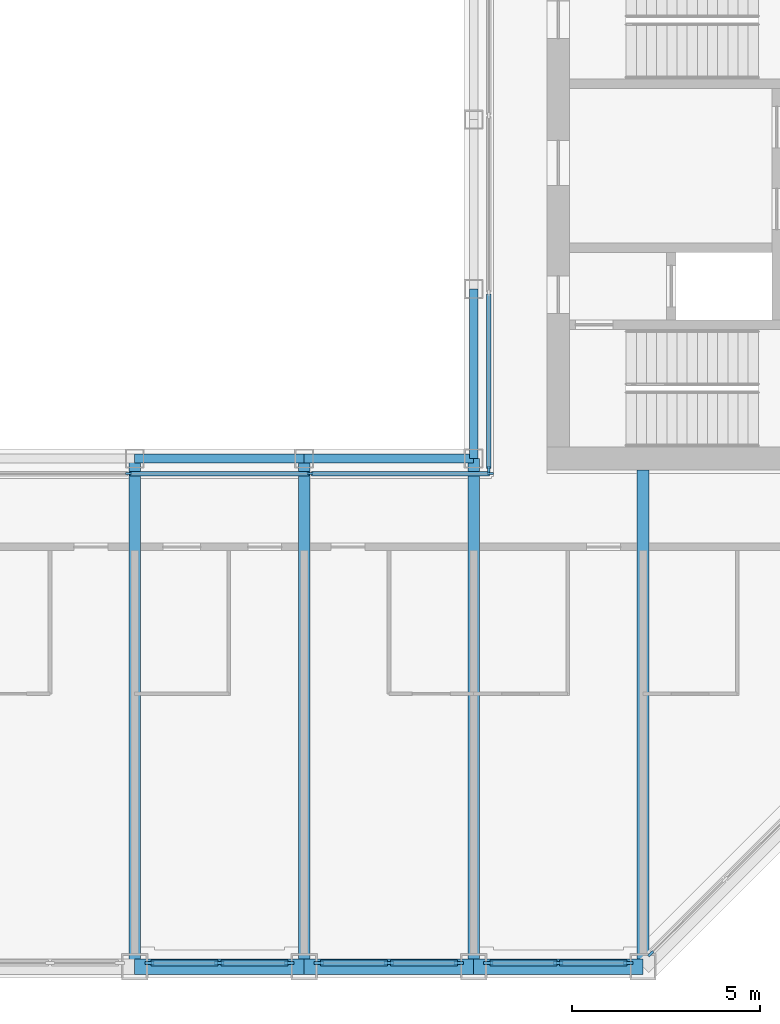
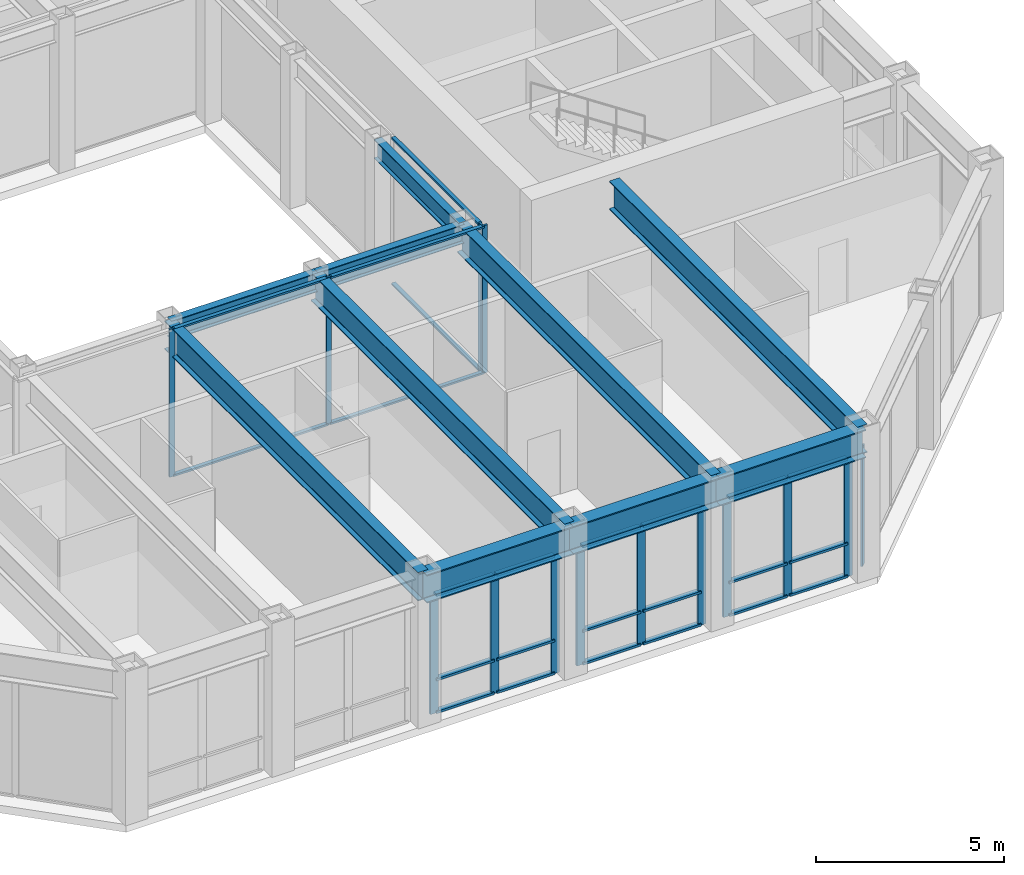
# One storey, part 3 of 15: 38 members, 10 beams, 6 elements without a shape of their own.
"""IFC4 building model written with IfcOpenShell, lengths in metres."""

from ifc_helpers import new_model, si_unit, direction, frame, origin, origin_2d, place, context, subcontext, project, spatial, rectangle, i_section, extrude, material, material_profile, profile_set, type_object, element, aggregate, save


model = new_model("IFC4")

# Units and contexts
model_context = context("Model", 3, precision=1e-05, world=origin(), true_north=direction((0.0, 1.0)))
body_context = subcontext(model_context, "Body", "Model", "MODEL_VIEW")
ifc_project = project(units=[si_unit("LENGTHUNIT", "METRE"), si_unit("AREAUNIT", "SQUARE_METRE"), si_unit("VOLUMEUNIT", "CUBIC_METRE"), si_unit("PLANEANGLEUNIT", "RADIAN"), si_unit("MASSUNIT", "GRAM", prefix="KILO")], contexts=[model_context])

# Site, building, storey
site_placement = place(None, origin())
site = spatial("IfcSite", under=ifc_project, at=site_placement, CompositionType="ELEMENT")
building_placement = place(site_placement, origin())
building = spatial("IfcBuilding", under=site, at=building_placement, Name="Msasa Ring Tower", CompositionType="ELEMENT")
storey_placement = place(building_placement, frame((0.0, 0.0, 195.800048828125)))
storey = spatial("IfcBuildingStorey", under=building, at=storey_placement, Name="L51", CompositionType="ELEMENT", Elevation=195.800048828125)

# Curtain wall, member
ifc_material_1 = material(Name="Aluminium curtain wall with clear glass", Category="aluminium")
curtain_wall_type_1 = type_object("IfcCurtainWallType", Name="CW-C CHAMFER CORNER CURTAIN WALL", PredefinedType="NOTDEFINED", material=ifc_material_1)
curtain_wall_1_placement = place(storey_placement, origin())
curtain_wall_1 = element("IfcCurtainWall", 1, at=curtain_wall_1_placement, inside=storey, type_object=curtain_wall_type_1, Name="Chamfer corner curtain wall SE L51", PredefinedType="NOTDEFINED")
ifc_material_2 = material(Name="Aluminium mullion", Category="aluminium")
ifc_material_profile_1 = material_profile(ifc_material_2, rectangle(XDim=0.06494140625, YDim=0.179931640625, at=origin_2d()), Name="AL 65x180")
ifc_profile_set_1 = profile_set([ifc_material_profile_1], Name="Aluminium mullion")
member_type_1 = type_object("IfcMemberType", Name="CW-C MULLION 65x180", PredefinedType="MULLION", material=ifc_profile_set_1)
member_1_placement = place(storey_placement, frame((11.453369140625, -19.9052734375, 0.0), z_axis=(0.0, 0.0, 1.0), x_axis=(-0.707106781187, 0.707106781187, 0.0)))
member_1 = element("IfcMember", 2, at=member_1_placement, type_object=member_type_1, Name="CW-C mullion 1", PredefinedType="MULLION", context=body_context, shape_type="SweptSolid", body=[
    extrude(rectangle(XDim=0.06494140625, YDim=0.179931640625, at=origin_2d()), origin(), (0.0, 0.0, 1.0), 3.87890625),
])
aggregate(curtain_wall_1, [member_1])

# Curtain wall, members
ifc_material_3 = material(Name="Aluminium curtain wall with clear glass", Category="aluminium")
curtain_wall_type_2 = type_object("IfcCurtainWallType", Name="CW-S SKY LOBBY CURTAIN WALL", PredefinedType="NOTDEFINED", material=ifc_material_3)
curtain_wall_2_placement = place(storey_placement, origin())
curtain_wall_2 = element("IfcCurtainWall", 3, at=curtain_wall_2_placement, inside=storey, type_object=curtain_wall_type_2, Name="Sky lobby curtain wall S L51", PredefinedType="NOTDEFINED")
ifc_material_4 = material(Name="Aluminium mullion", Category="aluminium")
ifc_material_profile_2 = material_profile(ifc_material_4, rectangle(XDim=0.074951171875, YDim=0.25, at=origin_2d()), Name="AL 75x250")
ifc_profile_set_2 = profile_set([ifc_material_profile_2], Name="Aluminium mullion")
member_type_2 = type_object("IfcMemberType", Name="CW-S MULLION 75x250", PredefinedType="MULLION", material=ifc_profile_set_2)
member_2_placement = place(storey_placement, frame((-1.857421875, -20.14990234375, 0.0), z_axis=(0.0, 0.0, 1.0), x_axis=(0.0, 1.0, 0.0)))
member_2 = element("IfcMember", 4, at=member_2_placement, type_object=member_type_2, Name="CW-S mullion 1", PredefinedType="MULLION", context=body_context, shape_type="SweptSolid", body=[
    extrude(rectangle(XDim=0.074951171875, YDim=0.25, at=origin_2d()), origin(), (0.0, 0.0, 1.0), 3.87890625),
])
member_3_placement = place(storey_placement, frame((0.0, -20.14990234375, 0.0), z_axis=(0.0, 0.0, 1.0), x_axis=(0.0, 1.0, 0.0)))
member_3 = element("IfcMember", 5, at=member_3_placement, type_object=member_type_2, Name="CW-S mullion 2", PredefinedType="MULLION", context=body_context, shape_type="SweptSolid", body=[
    extrude(rectangle(XDim=0.074951171875, YDim=0.25, at=origin_2d()), origin(), (0.0, 0.0, 1.0), 3.87890625),
])
member_4_placement = place(storey_placement, frame((1.857421875, -20.14990234375, 0.0), z_axis=(0.0, 0.0, 1.0), x_axis=(0.0, 1.0, 0.0)))
member_4 = element("IfcMember", 6, at=member_4_placement, type_object=member_type_2, Name="CW-S mullion 3", PredefinedType="MULLION", context=body_context, shape_type="SweptSolid", body=[
    extrude(rectangle(XDim=0.074951171875, YDim=0.25, at=origin_2d()), origin(), (0.0, 0.0, 1.0), 3.87890625),
])

curtain_wall_3_placement = place(storey_placement, origin())
curtain_wall_3 = element("IfcCurtainWall", 7, at=curtain_wall_3_placement, inside=storey, type_object=curtain_wall_type_2, Name="Sky lobby curtain wall S L51", PredefinedType="NOTDEFINED")
member_5_placement = place(storey_placement, frame((2.642578125, -20.14990234375, 0.0), z_axis=(0.0, 0.0, 1.0), x_axis=(0.0, 1.0, 0.0)))
member_5 = element("IfcMember", 8, at=member_5_placement, type_object=member_type_2, Name="CW-S mullion 1", PredefinedType="MULLION", context=body_context, shape_type="SweptSolid", body=[
    extrude(rectangle(XDim=0.074951171875, YDim=0.25, at=origin_2d()), origin(), (0.0, 0.0, 1.0), 3.87890625),
])
member_6_placement = place(storey_placement, frame((4.5, -20.14990234375, 0.0), z_axis=(0.0, 0.0, 1.0), x_axis=(0.0, 1.0, 0.0)))
member_6 = element("IfcMember", 9, at=member_6_placement, type_object=member_type_2, Name="CW-S mullion 2", PredefinedType="MULLION", context=body_context, shape_type="SweptSolid", body=[
    extrude(rectangle(XDim=0.074951171875, YDim=0.25, at=origin_2d()), origin(), (0.0, 0.0, 1.0), 3.87890625),
])
member_7_placement = place(storey_placement, frame((6.357421875, -20.14990234375, 0.0), z_axis=(0.0, 0.0, 1.0), x_axis=(0.0, 1.0, 0.0)))
member_7 = element("IfcMember", 10, at=member_7_placement, type_object=member_type_2, Name="CW-S mullion 3", PredefinedType="MULLION", context=body_context, shape_type="SweptSolid", body=[
    extrude(rectangle(XDim=0.074951171875, YDim=0.25, at=origin_2d()), origin(), (0.0, 0.0, 1.0), 3.87890625),
])

curtain_wall_4_placement = place(storey_placement, origin())
curtain_wall_4 = element("IfcCurtainWall", 11, at=curtain_wall_4_placement, inside=storey, type_object=curtain_wall_type_2, Name="Sky lobby curtain wall S L51", PredefinedType="NOTDEFINED")
member_8_placement = place(storey_placement, frame((7.142578125, -20.14990234375, 0.0), z_axis=(0.0, 0.0, 1.0), x_axis=(0.0, 1.0, 0.0)))
member_8 = element("IfcMember", 12, at=member_8_placement, type_object=member_type_2, Name="CW-S mullion 1", PredefinedType="MULLION", context=body_context, shape_type="SweptSolid", body=[
    extrude(rectangle(XDim=0.074951171875, YDim=0.25, at=origin_2d()), origin(), (0.0, 0.0, 1.0), 3.87890625),
])
member_9_placement = place(storey_placement, frame((9.0, -20.14990234375, 0.0), z_axis=(0.0, 0.0, 1.0), x_axis=(0.0, 1.0, 0.0)))
member_9 = element("IfcMember", 13, at=member_9_placement, type_object=member_type_2, Name="CW-S mullion 2", PredefinedType="MULLION", context=body_context, shape_type="SweptSolid", body=[
    extrude(rectangle(XDim=0.074951171875, YDim=0.25, at=origin_2d()), origin(), (0.0, 0.0, 1.0), 3.87890625),
])
member_10_placement = place(storey_placement, frame((10.857421875, -20.14990234375, 0.0), z_axis=(0.0, 0.0, 1.0), x_axis=(0.0, 1.0, 0.0)))
member_10 = element("IfcMember", 14, at=member_10_placement, type_object=member_type_2, Name="CW-S mullion 3", PredefinedType="MULLION", context=body_context, shape_type="SweptSolid", body=[
    extrude(rectangle(XDim=0.074951171875, YDim=0.25, at=origin_2d()), origin(), (0.0, 0.0, 1.0), 3.87890625),
])

# Member
ifc_material_5 = material(Name="Aluminium transom", Category="aluminium")
ifc_material_profile_3 = material_profile(ifc_material_5, rectangle(XDim=0.159912109375, YDim=0.074951171875, at=origin_2d()), Name="AL 75x160")
ifc_profile_set_3 = profile_set([ifc_material_profile_3], Name="Aluminium transom")
member_type_3 = type_object("IfcMemberType", Name="CW-S TRANSOM 75x160", PredefinedType="USERDEFINED", material=ifc_profile_set_3)
member_11_placement = place(storey_placement, frame((-1.820068359375, -20.14990234375, 0.037353515625), z_axis=(1.0, 0.0, 0.0), x_axis=(0.0, 1.0, 0.0)))
member_11 = element("IfcMember", 15, at=member_11_placement, type_object=member_type_3, Name="CW-S transom 1.1", ObjectType="TRANSOM", PredefinedType="USERDEFINED", context=body_context, shape_type="SweptSolid", body=[
    extrude(rectangle(XDim=0.159912109375, YDim=0.074951171875, at=origin_2d()), origin(), (0.0, 0.0, 1.0), 1.782470703125),
])

member_12_placement = place(storey_placement, frame((-1.820068359375, -20.14990234375, 1.099853515625), z_axis=(1.0, 0.0, 0.0), x_axis=(0.0, 1.0, 0.0)))
member_12 = element("IfcMember", 16, at=member_12_placement, type_object=member_type_3, Name="CW-S transom 1.2", ObjectType="TRANSOM", PredefinedType="USERDEFINED", context=body_context, shape_type="SweptSolid", body=[
    extrude(rectangle(XDim=0.159912109375, YDim=0.074951171875, at=origin_2d()), origin(), (0.0, 0.0, 1.0), 1.782470703125),
])

member_13_placement = place(storey_placement, frame((-1.820068359375, -20.14990234375, 3.841552734375), z_axis=(1.0, 0.0, 0.0), x_axis=(0.0, 1.0, 0.0)))
member_13 = element("IfcMember", 17, at=member_13_placement, type_object=member_type_3, Name="CW-S transom 1.3", ObjectType="TRANSOM", PredefinedType="USERDEFINED", context=body_context, shape_type="SweptSolid", body=[
    extrude(rectangle(XDim=0.159912109375, YDim=0.074951171875, at=origin_2d()), origin(), (0.0, 0.0, 1.0), 1.782470703125),
])

member_14_placement = place(storey_placement, frame((0.03759765625, -20.14990234375, 0.037353515625), z_axis=(1.0, 0.0, 0.0), x_axis=(0.0, 1.0, 0.0)))
member_14 = element("IfcMember", 18, at=member_14_placement, type_object=member_type_3, Name="CW-S transom 2.1", ObjectType="TRANSOM", PredefinedType="USERDEFINED", context=body_context, shape_type="SweptSolid", body=[
    extrude(rectangle(XDim=0.159912109375, YDim=0.074951171875, at=origin_2d()), origin(), (0.0, 0.0, 1.0), 1.782470703125),
])

member_15_placement = place(storey_placement, frame((0.03759765625, -20.14990234375, 1.099853515625), z_axis=(1.0, 0.0, 0.0), x_axis=(0.0, 1.0, 0.0)))
member_15 = element("IfcMember", 19, at=member_15_placement, type_object=member_type_3, Name="CW-S transom 2.2", ObjectType="TRANSOM", PredefinedType="USERDEFINED", context=body_context, shape_type="SweptSolid", body=[
    extrude(rectangle(XDim=0.159912109375, YDim=0.074951171875, at=origin_2d()), origin(), (0.0, 0.0, 1.0), 1.782470703125),
])

member_16_placement = place(storey_placement, frame((0.03759765625, -20.14990234375, 3.841552734375), z_axis=(1.0, 0.0, 0.0), x_axis=(0.0, 1.0, 0.0)))
member_16 = element("IfcMember", 20, at=member_16_placement, type_object=member_type_3, Name="CW-S transom 2.3", ObjectType="TRANSOM", PredefinedType="USERDEFINED", context=body_context, shape_type="SweptSolid", body=[
    extrude(rectangle(XDim=0.159912109375, YDim=0.074951171875, at=origin_2d()), origin(), (0.0, 0.0, 1.0), 1.782470703125),
])

aggregate(curtain_wall_2, [member_2, member_3, member_4, member_11, member_12, member_13, member_14, member_15, member_16])

member_17_placement = place(storey_placement, frame((2.679931640625, -20.14990234375, 0.037353515625), z_axis=(1.0, 0.0, 0.0), x_axis=(0.0, 1.0, 0.0)))
member_17 = element("IfcMember", 21, at=member_17_placement, type_object=member_type_3, Name="CW-S transom 1.1", ObjectType="TRANSOM", PredefinedType="USERDEFINED", context=body_context, shape_type="SweptSolid", body=[
    extrude(rectangle(XDim=0.159912109375, YDim=0.074951171875, at=origin_2d()), origin(), (0.0, 0.0, 1.0), 1.782470703125),
])

member_18_placement = place(storey_placement, frame((2.679931640625, -20.14990234375, 1.099853515625), z_axis=(1.0, 0.0, 0.0), x_axis=(0.0, 1.0, 0.0)))
member_18 = element("IfcMember", 22, at=member_18_placement, type_object=member_type_3, Name="CW-S transom 1.2", ObjectType="TRANSOM", PredefinedType="USERDEFINED", context=body_context, shape_type="SweptSolid", body=[
    extrude(rectangle(XDim=0.159912109375, YDim=0.074951171875, at=origin_2d()), origin(), (0.0, 0.0, 1.0), 1.782470703125),
])

member_19_placement = place(storey_placement, frame((2.679931640625, -20.14990234375, 3.841552734375), z_axis=(1.0, 0.0, 0.0), x_axis=(0.0, 1.0, 0.0)))
member_19 = element("IfcMember", 23, at=member_19_placement, type_object=member_type_3, Name="CW-S transom 1.3", ObjectType="TRANSOM", PredefinedType="USERDEFINED", context=body_context, shape_type="SweptSolid", body=[
    extrude(rectangle(XDim=0.159912109375, YDim=0.074951171875, at=origin_2d()), origin(), (0.0, 0.0, 1.0), 1.782470703125),
])

member_20_placement = place(storey_placement, frame((4.53759765625, -20.14990234375, 0.037353515625), z_axis=(1.0, 0.0, 0.0), x_axis=(0.0, 1.0, 0.0)))
member_20 = element("IfcMember", 24, at=member_20_placement, type_object=member_type_3, Name="CW-S transom 2.1", ObjectType="TRANSOM", PredefinedType="USERDEFINED", context=body_context, shape_type="SweptSolid", body=[
    extrude(rectangle(XDim=0.159912109375, YDim=0.074951171875, at=origin_2d()), origin(), (0.0, 0.0, 1.0), 1.782470703125),
])

member_21_placement = place(storey_placement, frame((4.53759765625, -20.14990234375, 1.099853515625), z_axis=(1.0, 0.0, 0.0), x_axis=(0.0, 1.0, 0.0)))
member_21 = element("IfcMember", 25, at=member_21_placement, type_object=member_type_3, Name="CW-S transom 2.2", ObjectType="TRANSOM", PredefinedType="USERDEFINED", context=body_context, shape_type="SweptSolid", body=[
    extrude(rectangle(XDim=0.159912109375, YDim=0.074951171875, at=origin_2d()), origin(), (0.0, 0.0, 1.0), 1.782470703125),
])

member_22_placement = place(storey_placement, frame((4.53759765625, -20.14990234375, 3.841552734375), z_axis=(1.0, 0.0, 0.0), x_axis=(0.0, 1.0, 0.0)))
member_22 = element("IfcMember", 26, at=member_22_placement, type_object=member_type_3, Name="CW-S transom 2.3", ObjectType="TRANSOM", PredefinedType="USERDEFINED", context=body_context, shape_type="SweptSolid", body=[
    extrude(rectangle(XDim=0.159912109375, YDim=0.074951171875, at=origin_2d()), origin(), (0.0, 0.0, 1.0), 1.782470703125),
])

aggregate(curtain_wall_3, [member_5, member_6, member_7, member_17, member_18, member_19, member_20, member_21, member_22])

member_23_placement = place(storey_placement, frame((7.179931640625, -20.14990234375, 0.037353515625), z_axis=(1.0, 0.0, 0.0), x_axis=(0.0, 1.0, 0.0)))
member_23 = element("IfcMember", 27, at=member_23_placement, type_object=member_type_3, Name="CW-S transom 1.1", ObjectType="TRANSOM", PredefinedType="USERDEFINED", context=body_context, shape_type="SweptSolid", body=[
    extrude(rectangle(XDim=0.159912109375, YDim=0.074951171875, at=origin_2d()), origin(), (0.0, 0.0, 1.0), 1.782470703125),
])

member_24_placement = place(storey_placement, frame((7.179931640625, -20.14990234375, 1.099853515625), z_axis=(1.0, 0.0, 0.0), x_axis=(0.0, 1.0, 0.0)))
member_24 = element("IfcMember", 28, at=member_24_placement, type_object=member_type_3, Name="CW-S transom 1.2", ObjectType="TRANSOM", PredefinedType="USERDEFINED", context=body_context, shape_type="SweptSolid", body=[
    extrude(rectangle(XDim=0.159912109375, YDim=0.074951171875, at=origin_2d()), origin(), (0.0, 0.0, 1.0), 1.782470703125),
])

member_25_placement = place(storey_placement, frame((7.179931640625, -20.14990234375, 3.841552734375), z_axis=(1.0, 0.0, 0.0), x_axis=(0.0, 1.0, 0.0)))
member_25 = element("IfcMember", 29, at=member_25_placement, type_object=member_type_3, Name="CW-S transom 1.3", ObjectType="TRANSOM", PredefinedType="USERDEFINED", context=body_context, shape_type="SweptSolid", body=[
    extrude(rectangle(XDim=0.159912109375, YDim=0.074951171875, at=origin_2d()), origin(), (0.0, 0.0, 1.0), 1.782470703125),
])

member_26_placement = place(storey_placement, frame((9.03759765625, -20.14990234375, 0.037353515625), z_axis=(1.0, 0.0, 0.0), x_axis=(0.0, 1.0, 0.0)))
member_26 = element("IfcMember", 30, at=member_26_placement, type_object=member_type_3, Name="CW-S transom 2.1", ObjectType="TRANSOM", PredefinedType="USERDEFINED", context=body_context, shape_type="SweptSolid", body=[
    extrude(rectangle(XDim=0.159912109375, YDim=0.074951171875, at=origin_2d()), origin(), (0.0, 0.0, 1.0), 1.782470703125),
])

member_27_placement = place(storey_placement, frame((9.03759765625, -20.14990234375, 1.099853515625), z_axis=(1.0, 0.0, 0.0), x_axis=(0.0, 1.0, 0.0)))
member_27 = element("IfcMember", 31, at=member_27_placement, type_object=member_type_3, Name="CW-S transom 2.2", ObjectType="TRANSOM", PredefinedType="USERDEFINED", context=body_context, shape_type="SweptSolid", body=[
    extrude(rectangle(XDim=0.159912109375, YDim=0.074951171875, at=origin_2d()), origin(), (0.0, 0.0, 1.0), 1.782470703125),
])

member_28_placement = place(storey_placement, frame((9.03759765625, -20.14990234375, 3.841552734375), z_axis=(1.0, 0.0, 0.0), x_axis=(0.0, 1.0, 0.0)))
member_28 = element("IfcMember", 32, at=member_28_placement, type_object=member_type_3, Name="CW-S transom 2.3", ObjectType="TRANSOM", PredefinedType="USERDEFINED", context=body_context, shape_type="SweptSolid", body=[
    extrude(rectangle(XDim=0.159912109375, YDim=0.074951171875, at=origin_2d()), origin(), (0.0, 0.0, 1.0), 1.782470703125),
])

aggregate(curtain_wall_4, [member_8, member_9, member_10, member_23, member_24, member_25, member_26, member_27, member_28])

# Curtain wall, members
ifc_material_6 = material(Name="Aluminium curtain wall with clear glass", Category="aluminium")
curtain_wall_type_3 = type_object("IfcCurtainWallType", Name="CW-W LIGHT WELL CURTAIN WALL", PredefinedType="NOTDEFINED", material=ifc_material_6)
curtain_wall_5_placement = place(storey_placement, origin())
curtain_wall_5 = element("IfcCurtainWall", 33, at=curtain_wall_5_placement, inside=storey, type_object=curtain_wall_type_3, Name="Light well curtain wall S L51", PredefinedType="NOTDEFINED")
ifc_material_7 = material(Name="Aluminium mullion", Category="aluminium")
ifc_material_profile_4 = material_profile(ifc_material_7, rectangle(XDim=0.06005859375, YDim=0.159912109375, at=origin_2d()), Name="AL 60x160")
ifc_profile_set_4 = profile_set([ifc_material_profile_4], Name="Aluminium mullion")
member_type_4 = type_object("IfcMemberType", Name="CW-W MULLION 60x160", PredefinedType="MULLION", material=ifc_profile_set_4)
member_29_placement = place(storey_placement, frame((-2.409912109375, -7.14990234375, 0.0), z_axis=(0.0, 0.0, 1.0), x_axis=(0.0, 1.0, 0.0)))
member_29 = element("IfcMember", 34, at=member_29_placement, type_object=member_type_4, Name="CW-W mullion 2", PredefinedType="MULLION", context=body_context, shape_type="SweptSolid", body=[
    extrude(rectangle(XDim=0.06005859375, YDim=0.159912109375, at=origin_2d()), origin(), (0.0, 0.0, 1.0), 4.800048828125),
])
member_30_placement = place(storey_placement, frame((2.409912109375, -7.14990234375, 0.0), z_axis=(0.0, 0.0, 1.0), x_axis=(0.0, 1.0, 0.0)))
member_30 = element("IfcMember", 35, at=member_30_placement, type_object=member_type_4, Name="CW-W mullion 3", PredefinedType="MULLION", context=body_context, shape_type="SweptSolid", body=[
    extrude(rectangle(XDim=0.06005859375, YDim=0.159912109375, at=origin_2d()), origin(), (0.0, 0.0, 1.0), 4.800048828125),
])
member_31_placement = place(storey_placement, frame((7.199951171875, -7.14990234375, 0.0), z_axis=(0.0, 0.0, 1.0), x_axis=(0.0, 1.0, 0.0)))
member_31 = element("IfcMember", 36, at=member_31_placement, type_object=member_type_4, Name="CW-W mullion 4", PredefinedType="MULLION", context=body_context, shape_type="SweptSolid", body=[
    extrude(rectangle(XDim=0.06005859375, YDim=0.159912109375, at=origin_2d()), origin(), (0.0, 0.0, 1.0), 4.800048828125),
])

# Curtain wall, member
curtain_wall_6_placement = place(storey_placement, origin())
curtain_wall_6 = element("IfcCurtainWall", 37, at=curtain_wall_6_placement, inside=storey, type_object=curtain_wall_type_3, Name="Light well curtain wall E L51", PredefinedType="NOTDEFINED")
member_32_placement = place(storey_placement, frame((7.14990234375, -7.0400390625, 0.0), z_axis=(0.0, 0.0, 1.0), x_axis=(-1.0, 0.0, 0.0)))
member_32 = element("IfcMember", 38, at=member_32_placement, type_object=member_type_4, Name="CW-W mullion 1", PredefinedType="MULLION", context=body_context, shape_type="SweptSolid", body=[
    extrude(rectangle(XDim=0.06005859375, YDim=0.159912109375, at=origin_2d()), origin(), (0.0, 0.0, 1.0), 4.800048828125),
])

# Member
ifc_material_8 = material(Name="Aluminium transom", Category="aluminium")
ifc_material_profile_5 = material_profile(ifc_material_8, rectangle(XDim=0.1201171875, YDim=0.06005859375, at=origin_2d()), Name="AL 60x120")
ifc_profile_set_5 = profile_set([ifc_material_profile_5], Name="Aluminium transom")
member_type_5 = type_object("IfcMemberType", Name="CW-W TRANSOM 60x120", PredefinedType="USERDEFINED", material=ifc_profile_set_5)
member_33_placement = place(storey_placement, frame((-2.3798828125, -7.14990234375, 0.030029296875), z_axis=(1.0, 0.0, 0.0), x_axis=(0.0, 1.0, 0.0)))
member_33 = element("IfcMember", 39, at=member_33_placement, type_object=member_type_5, Name="CW-W transom 2.1", ObjectType="TRANSOM", PredefinedType="USERDEFINED", context=body_context, shape_type="SweptSolid", body=[
    extrude(rectangle(XDim=0.1201171875, YDim=0.06005859375, at=origin_2d()), origin(), (0.0, 0.0, 1.0), 4.759765625),
])

member_34_placement = place(storey_placement, frame((-2.3798828125, -7.14990234375, 4.77001953125), z_axis=(1.0, 0.0, 0.0), x_axis=(0.0, 1.0, 0.0)))
member_34 = element("IfcMember", 40, at=member_34_placement, type_object=member_type_5, Name="CW-W transom 2.2", ObjectType="TRANSOM", PredefinedType="USERDEFINED", context=body_context, shape_type="SweptSolid", body=[
    extrude(rectangle(XDim=0.1201171875, YDim=0.06005859375, at=origin_2d()), origin(), (0.0, 0.0, 1.0), 4.759765625),
])

member_35_placement = place(storey_placement, frame((2.43994140625, -7.14990234375, 0.030029296875), z_axis=(1.0, 0.0, 0.0), x_axis=(0.0, 1.0, 0.0)))
member_35 = element("IfcMember", 41, at=member_35_placement, type_object=member_type_5, Name="CW-W transom 3.1", ObjectType="TRANSOM", PredefinedType="USERDEFINED", context=body_context, shape_type="SweptSolid", body=[
    extrude(rectangle(XDim=0.1201171875, YDim=0.06005859375, at=origin_2d()), origin(), (0.0, 0.0, 1.0), 4.72998046875),
])

member_36_placement = place(storey_placement, frame((2.43994140625, -7.14990234375, 4.77001953125), z_axis=(1.0, 0.0, 0.0), x_axis=(0.0, 1.0, 0.0)))
member_36 = element("IfcMember", 42, at=member_36_placement, type_object=member_type_5, Name="CW-W transom 3.2", ObjectType="TRANSOM", PredefinedType="USERDEFINED", context=body_context, shape_type="SweptSolid", body=[
    extrude(rectangle(XDim=0.1201171875, YDim=0.06005859375, at=origin_2d()), origin(), (0.0, 0.0, 1.0), 4.72998046875),
])

aggregate(curtain_wall_5, [member_29, member_30, member_31, member_33, member_34, member_35, member_36])

member_37_placement = place(storey_placement, frame((7.14990234375, -7.010009765625, 0.030029296875), z_axis=(0.0, 1.0, 0.0), x_axis=(-1.0, 0.0, 0.0)))
member_37 = element("IfcMember", 43, at=member_37_placement, type_object=member_type_5, Name="CW-W transom 1.1", ObjectType="TRANSOM", PredefinedType="USERDEFINED", context=body_context, shape_type="SweptSolid", body=[
    extrude(rectangle(XDim=0.1201171875, YDim=0.06005859375, at=origin_2d()), origin(), (0.0, 0.0, 1.0), 4.623291015625),
])

member_38_placement = place(storey_placement, frame((7.14990234375, -7.010009765625, 4.77001953125), z_axis=(0.0, 1.0, 0.0), x_axis=(-1.0, 0.0, 0.0)))
member_38 = element("IfcMember", 44, at=member_38_placement, type_object=member_type_5, Name="CW-W transom 1.2", ObjectType="TRANSOM", PredefinedType="USERDEFINED", context=body_context, shape_type="SweptSolid", body=[
    extrude(rectangle(XDim=0.1201171875, YDim=0.06005859375, at=origin_2d()), origin(), (0.0, 0.0, 1.0), 4.623291015625),
])

aggregate(curtain_wall_6, [member_32, member_37, member_38])

# Beams
ifc_material_9 = material(Name="Steel S355", Category="steel")
ifc_material_profile_6 = material_profile(ifc_material_9, i_section(OverallWidth=0.3076171875, OverallDepth=0.926513671875, WebThickness=0.01953125, FlangeThickness=0.031982421875, FilletRadius=0.01904296875, at=origin_2d()), Name="UB 914x305x289")
ifc_profile_set_6 = profile_set([ifc_material_profile_6], Name="Steel S355")
beam_type_1 = type_object("IfcBeamType", Name="FB3 UB 914x305x289", PredefinedType="BEAM", material=ifc_profile_set_6)
for number, where, z_axis, x_axis, name in (
    (45, (-2.25, -20.25, 4.336669921875), (0.0, 1.0, 0.0), (-1.0, 0.0, 0.0), "Floor beam S-2.25 under L52"),
    (46, (2.25, -20.25, 4.336669921875), (0.0, 1.0, 0.0), (-1.0, 0.0, 0.0), "Floor beam S+2.25 under L52"),
    (47, (6.75, -20.25, 4.336669921875), (0.0, 1.0, 0.0), (-1.0, 0.0, 0.0), "Floor beam S+6.75 under L52"),
):
    element("IfcBeam", number, at=place(storey_placement, frame(where, z_axis=z_axis, x_axis=x_axis)), inside=storey, type_object=beam_type_1, Name=name, PredefinedType="BEAM", context=body_context, shape_type="SweptSolid", body=[
        extrude(i_section(OverallWidth=0.3076171875, OverallDepth=0.926513671875, WebThickness=0.01953125, FlangeThickness=0.031982421875, FilletRadius=0.01904296875, at=origin_2d()), origin(), (0.0, 0.0, 1.0), 13.5),
    ])
beam_placement = place(storey_placement, frame((11.25, -20.25, 4.336669921875), z_axis=(0.0, 1.0, 0.0), x_axis=(-1.0, 0.0, 0.0)))
element("IfcBeam", 48, at=beam_placement, inside=storey, type_object=beam_type_1, Name="Floor beam S+11.25 under L52", PredefinedType="BEAM", context=body_context, shape_type="SweptSolid", body=[
    extrude(i_section(OverallWidth=0.3076171875, OverallDepth=0.926513671875, WebThickness=0.01953125, FlangeThickness=0.031982421875, FilletRadius=0.01904296875, at=origin_2d()), origin(), (0.0, 0.0, 1.0), 13.199951171875),
])
ifc_material_10 = material(Name="Steel S355", Category="steel")
ifc_material_profile_7 = material_profile(ifc_material_10, i_section(OverallWidth=0.230224609375, OverallDepth=0.6171875, WebThickness=0.01318359375, FlangeThickness=0.022216796875, FilletRadius=0.0126953125, at=origin_2d()), Name="UB 610x229x140")
ifc_profile_set_7 = profile_set([ifc_material_profile_7], Name="Steel S355")
beam_type_2 = type_object("IfcBeamType", Name="RB1 UB 610x229x140", PredefinedType="BEAM", material=ifc_profile_set_7)
for number, where, z_axis, x_axis, name in (
    (49, (-2.25, -6.75, 4.491455078125), (1.0, 0.0, 0.0), (0.0, 1.0, 0.0), "Inner ring beam IR-2.25-6.75 under L52"),
    (50, (2.25, -6.75, 4.491455078125), (1.0, 0.0, 0.0), (0.0, 1.0, 0.0), "Inner ring beam IR+2.25-6.75 under L52"),
    (51, (6.75, -6.75, 4.491455078125), (0.0, 1.0, 0.0), (-1.0, 0.0, 0.0), "Inner ring beam IR+6.75-6.75 under L52"),
):
    element("IfcBeam", number, at=place(storey_placement, frame(where, z_axis=z_axis, x_axis=x_axis)), inside=storey, type_object=beam_type_2, Name=name, PredefinedType="BEAM", context=body_context, shape_type="SweptSolid", body=[
        extrude(i_section(OverallWidth=0.230224609375, OverallDepth=0.6171875, WebThickness=0.01318359375, FlangeThickness=0.022216796875, FilletRadius=0.0126953125, at=origin_2d()), origin(), (0.0, 0.0, 1.0), 4.5),
    ])
ifc_material_11 = material(Name="Steel S355", Category="steel")
ifc_material_profile_8 = material_profile(ifc_material_11, i_section(OverallWidth=0.42041015625, OverallDepth=0.9208984375, WebThickness=0.021484375, FlangeThickness=0.03662109375, FilletRadius=0.024169921875, at=origin_2d()), Name="UB 914x419x388")
ifc_profile_set_8 = profile_set([ifc_material_profile_8], Name="Steel S355")
beam_type_3 = type_object("IfcBeamType", Name="SB1 UB 914x419x388", PredefinedType="SPANDREL", material=ifc_profile_set_8)
for number, where, z_axis, x_axis, name in (
    (52, (-2.25, -20.25, 4.33935546875), (1.0, 0.0, 0.0), (0.0, 1.0, 0.0), "Spandrel S-2.25 to S+2.25 under L52"),
    (53, (2.25, -20.25, 4.33935546875), (1.0, 0.0, 0.0), (0.0, 1.0, 0.0), "Spandrel S+2.25 to S+6.75 under L52"),
    (54, (6.75, -20.25, 4.33935546875), (1.0, 0.0, 0.0), (0.0, 1.0, 0.0), "Spandrel S+6.75 to S+11.25 under L52"),
):
    element("IfcBeam", number, at=place(storey_placement, frame(where, z_axis=z_axis, x_axis=x_axis)), inside=storey, type_object=beam_type_3, Name=name, PredefinedType="SPANDREL", context=body_context, shape_type="SweptSolid", body=[
        extrude(i_section(OverallWidth=0.42041015625, OverallDepth=0.9208984375, WebThickness=0.021484375, FlangeThickness=0.03662109375, FilletRadius=0.024169921875, at=origin_2d()), origin(), (0.0, 0.0, 1.0), 4.5),
    ])

save(model, "model.ifc")
